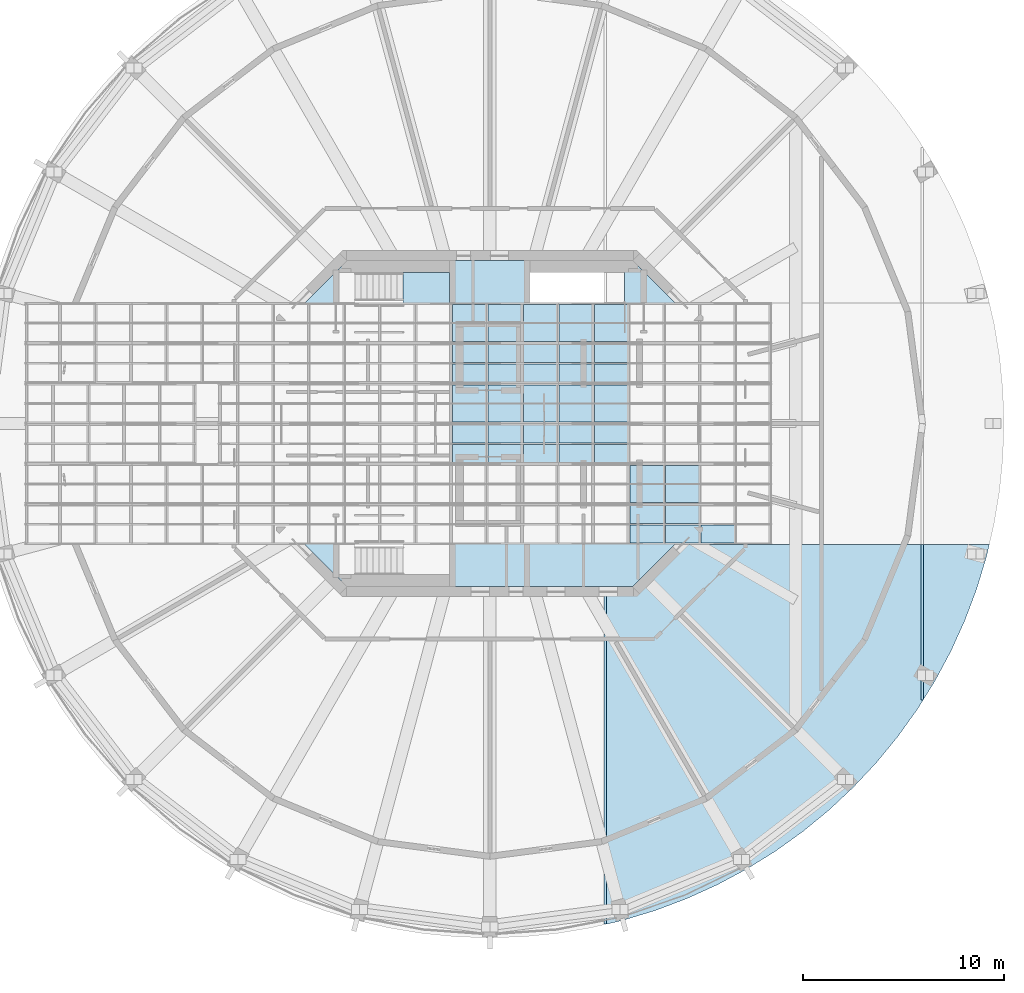
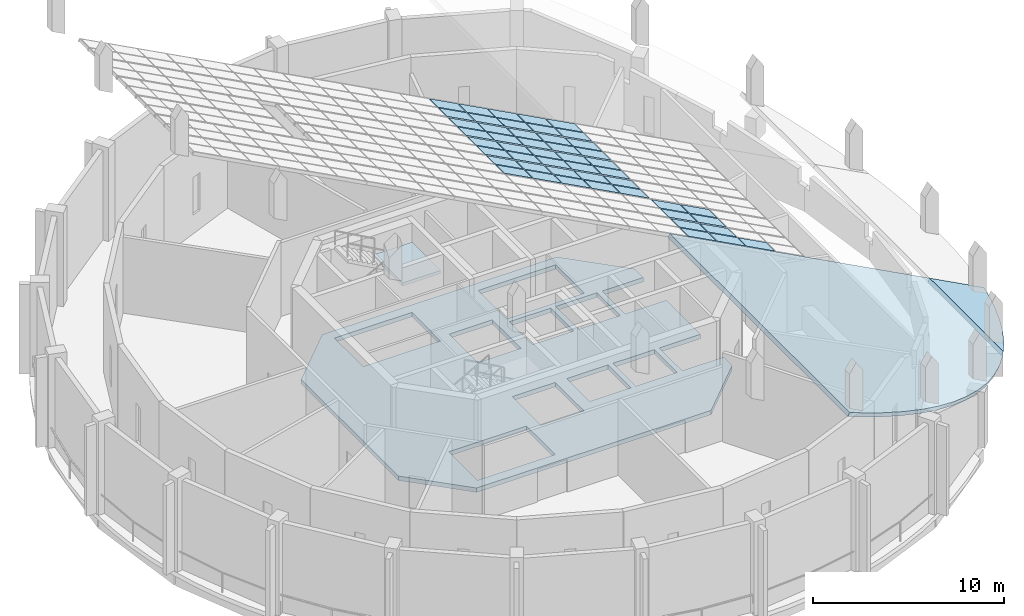
# One storey, part 11 of 19: 49 plates, 4 slabs, 7 elements without a shape of their own.
"""IFC4 building model written with IfcOpenShell, lengths in metres."""

from ifc_helpers import new_model, si_unit, direction, frame, origin, place, context, subcontext, project, spatial, polyline, outline, extrude, material, layer, layer_set, type_object, element, aggregate, save


model = new_model("IFC4")

# Units and contexts
model_context = context("Model", 3, precision=1e-05, world=origin(), true_north=direction((0.0, 1.0)))
body_context = subcontext(model_context, "Body", "Model", "MODEL_VIEW")
ifc_project = project(units=[si_unit("LENGTHUNIT", "METRE"), si_unit("AREAUNIT", "SQUARE_METRE"), si_unit("VOLUMEUNIT", "CUBIC_METRE"), si_unit("PLANEANGLEUNIT", "RADIAN"), si_unit("MASSUNIT", "GRAM", prefix="KILO")], contexts=[model_context])

# Site, building, storey
site_placement = place(None, origin())
site = spatial("IfcSite", under=ifc_project, at=site_placement, CompositionType="ELEMENT")
building_placement = place(site_placement, origin())
building = spatial("IfcBuilding", under=site, at=building_placement, Name="Torre Triforio", CompositionType="ELEMENT")
storey_placement = place(building_placement, frame((0.0, 0.0, 290.800048828125)))
storey = spatial("IfcBuildingStorey", under=building, at=storey_placement, Name="RF-1", CompositionType="ELEMENT", Elevation=290.800048828125)

# Curtain wall, plates
ifc_material_1 = material(Name="Aluminium glazing bars with clear laminated glass", Category="aluminium")
curtain_wall_type = type_object("IfcCurtainWallType", Name="Crown lantern glazing CW4", PredefinedType="NOTDEFINED", material=ifc_material_1)
curtain_wall_1_placement = place(storey_placement, origin())
curtain_wall_1 = element("IfcCurtainWall", 1, at=curtain_wall_1_placement, inside=storey, type_object=curtain_wall_type, Name="Crown lantern run 1", PredefinedType="NOTDEFINED")
ifc_material_2 = material(Name="Clear laminated glass", Category="glass")
ifc_layer_1 = layer(ifc_material_2, 0.030029296875)
ifc_layer_set_1 = layer_set([ifc_layer_1], Name="Clear laminated glass")
plate_type = type_object("IfcPlateType", Name="CW4 glass panel 30", PredefinedType="CURTAIN_PANEL", material=ifc_layer_set_1)
plate_1_placement = place(storey_placement, frame((12.203125, -5.929931640625, 7.096435546875), z_axis=(0.469537451121, 0.0, 0.882912556256), x_axis=(0.0, 1.0, 0.0)))
plate_1 = element("IfcPlate", 2, at=plate_1_placement, type_object=plate_type, Name="CW4 panel 1.2.1", PredefinedType="CURTAIN_PANEL", context=body_context, shape_type="SweptSolid", body=[
    extrude(outline(polyline([(0.0, 0.0), (0.89501953125, 0.0), (0.89501953125, 1.9300909817454048), (0.0, 1.9300909817454048), (0.0, 0.0)])), origin(), (0.0, 0.0, -1.0), 0.030029296875),
])
plate_2_placement = place(storey_placement, frame((10.437255859375, -5.929931640625, 8.03564453125), z_axis=(0.469438837627, 0.0, 0.882964992357), x_axis=(0.0, 1.0, 0.0)))
plate_2 = element("IfcPlate", 3, at=plate_2_placement, type_object=plate_type, Name="CW4 panel 1.3.1", PredefinedType="CURTAIN_PANEL", context=body_context, shape_type="SweptSolid", body=[
    extrude(outline(polyline([(0.0, 0.0), (0.89501953125, 0.0), (0.89501953125, 1.9299763606160503), (0.0, 1.9299763606160503), (0.0, 0.0)])), origin(), (0.0, 0.0, -1.0), 0.030029296875),
])
plate_3_placement = place(storey_placement, frame((10.437255859375, -4.965087890625, 8.03564453125), z_axis=(0.469438837627, 0.0, 0.882964992357), x_axis=(0.0, 1.0, 0.0)))
plate_3 = element("IfcPlate", 4, at=plate_3_placement, type_object=plate_type, Name="CW4 panel 1.3.2", PredefinedType="CURTAIN_PANEL", context=body_context, shape_type="SweptSolid", body=[
    extrude(outline(polyline([(0.0, 0.0), (0.89501953125, 0.0), (0.89501953125, 1.9299763606160503), (0.0, 1.9299763606160503), (0.0, 0.0)])), origin(), (0.0, 0.0, -1.0), 0.030029296875),
])
plate_4_placement = place(storey_placement, frame((8.67138671875, -5.929931640625, 8.974365234375), z_axis=(0.469537451121, 0.0, 0.882912556256), x_axis=(0.0, 1.0, 0.0)))
plate_4 = element("IfcPlate", 5, at=plate_4_placement, type_object=plate_type, Name="CW4 panel 1.4.1", PredefinedType="CURTAIN_PANEL", context=body_context, shape_type="SweptSolid", body=[
    extrude(outline(polyline([(0.0, 0.0), (0.89501953125, 0.0), (0.89501953125, 1.9300909817454048), (0.0, 1.9300909817454048), (0.0, 0.0)])), origin(), (0.0, 0.0, -1.0), 0.030029296875),
])
plate_5_placement = place(storey_placement, frame((8.67138671875, -4.965087890625, 8.974365234375), z_axis=(0.469537451121, 0.0, 0.882912556256), x_axis=(0.0, 1.0, 0.0)))
plate_5 = element("IfcPlate", 6, at=plate_5_placement, type_object=plate_type, Name="CW4 panel 1.4.2", PredefinedType="CURTAIN_PANEL", context=body_context, shape_type="SweptSolid", body=[
    extrude(outline(polyline([(0.0, 0.0), (0.89501953125, 0.0), (0.89501953125, 1.9300909817454048), (0.0, 1.9300909817454048), (0.0, 0.0)])), origin(), (0.0, 0.0, -1.0), 0.030029296875),
])
aggregate(curtain_wall_1, [plate_1, plate_2, plate_3, plate_4, plate_5])

curtain_wall_2_placement = place(storey_placement, origin())
curtain_wall_2 = element("IfcCurtainWall", 7, at=curtain_wall_2_placement, inside=storey, type_object=curtain_wall_type, Name="Crown lantern run 2", PredefinedType="NOTDEFINED")
plate_6_placement = place(storey_placement, frame((10.437255859375, -3.929931640625, 8.03564453125), z_axis=(0.469438837627, 0.0, 0.882964992357), x_axis=(0.0, 1.0, 0.0)))
plate_6 = element("IfcPlate", 8, at=plate_6_placement, type_object=plate_type, Name="CW4 panel 2.3.1", PredefinedType="CURTAIN_PANEL", context=body_context, shape_type="SweptSolid", body=[
    extrude(outline(polyline([(0.0, 0.0), (0.89501953125, 0.0), (0.89501953125, 1.9299763606160503), (0.0, 1.9299763606160503), (0.0, 0.0)])), origin(), (0.0, 0.0, -1.0), 0.030029296875),
])
plate_7_placement = place(storey_placement, frame((10.437255859375, -2.965087890625, 8.03564453125), z_axis=(0.469438837627, 0.0, 0.882964992357), x_axis=(0.0, 1.0, 0.0)))
plate_7 = element("IfcPlate", 9, at=plate_7_placement, type_object=plate_type, Name="CW4 panel 2.3.2", PredefinedType="CURTAIN_PANEL", context=body_context, shape_type="SweptSolid", body=[
    extrude(outline(polyline([(0.0, 0.0), (0.89501953125, 0.0), (0.89501953125, 1.9299763606160503), (0.0, 1.9299763606160503), (0.0, 0.0)])), origin(), (0.0, 0.0, -1.0), 0.030029296875),
])
plate_8_placement = place(storey_placement, frame((8.67138671875, -3.929931640625, 8.974365234375), z_axis=(0.469537451121, 0.0, 0.882912556256), x_axis=(0.0, 1.0, 0.0)))
plate_8 = element("IfcPlate", 10, at=plate_8_placement, type_object=plate_type, Name="CW4 panel 2.4.1", PredefinedType="CURTAIN_PANEL", context=body_context, shape_type="SweptSolid", body=[
    extrude(outline(polyline([(0.0, 0.0), (0.89501953125, 0.0), (0.89501953125, 1.9300909817454048), (0.0, 1.9300909817454048), (0.0, 0.0)])), origin(), (0.0, 0.0, -1.0), 0.030029296875),
])
plate_9_placement = place(storey_placement, frame((8.67138671875, -2.965087890625, 8.974365234375), z_axis=(0.469537451121, 0.0, 0.882912556256), x_axis=(0.0, 1.0, 0.0)))
plate_9 = element("IfcPlate", 11, at=plate_9_placement, type_object=plate_type, Name="CW4 panel 2.4.2", PredefinedType="CURTAIN_PANEL", context=body_context, shape_type="SweptSolid", body=[
    extrude(outline(polyline([(0.0, 0.0), (0.89501953125, 0.0), (0.89501953125, 1.9300909817454048), (0.0, 1.9300909817454048), (0.0, 0.0)])), origin(), (0.0, 0.0, -1.0), 0.030029296875),
])
aggregate(curtain_wall_2, [plate_6, plate_7, plate_8, plate_9])

curtain_wall_3_placement = place(storey_placement, origin())
curtain_wall_3 = element("IfcCurtainWall", 12, at=curtain_wall_3_placement, inside=storey, type_object=curtain_wall_type, Name="Crown lantern run 3", PredefinedType="NOTDEFINED")
plate_10_placement = place(storey_placement, frame((6.905517578125, -1.929931640625, 9.913330078125), z_axis=(0.469438837627, 0.0, 0.882964992357), x_axis=(0.0, 1.0, 0.0)))
plate_10 = element("IfcPlate", 13, at=plate_10_placement, type_object=plate_type, Name="CW4 panel 3.5.1", PredefinedType="CURTAIN_PANEL", context=body_context, shape_type="SweptSolid", body=[
    extrude(outline(polyline([(0.0, 0.0), (0.89501953125, 0.0), (0.89501953125, 1.9299763606160503), (0.0, 1.9299763606160503), (0.0, 0.0)])), origin(), (0.0, 0.0, -1.0), 0.030029296875),
])
plate_11_placement = place(storey_placement, frame((6.905517578125, -0.965087890625, 9.913330078125), z_axis=(0.469438837627, 0.0, 0.882964992357), x_axis=(0.0, 1.0, 0.0)))
plate_11 = element("IfcPlate", 14, at=plate_11_placement, type_object=plate_type, Name="CW4 panel 3.5.2", PredefinedType="CURTAIN_PANEL", context=body_context, shape_type="SweptSolid", body=[
    extrude(outline(polyline([(0.0, 0.0), (0.89501953125, 0.0), (0.89501953125, 1.9299763606160503), (0.0, 1.9299763606160503), (0.0, 0.0)])), origin(), (0.0, 0.0, -1.0), 0.030029296875),
])
plate_12_placement = place(storey_placement, frame((5.1396484375, -1.929931640625, 10.852294921875), z_axis=(0.469537451121, 0.0, 0.882912556256), x_axis=(0.0, 1.0, 0.0)))
plate_12 = element("IfcPlate", 15, at=plate_12_placement, type_object=plate_type, Name="CW4 panel 3.6.1", PredefinedType="CURTAIN_PANEL", context=body_context, shape_type="SweptSolid", body=[
    extrude(outline(polyline([(0.0, 0.0), (0.89501953125, 0.0), (0.89501953125, 1.9300909817454048), (0.0, 1.9300909817454048), (0.0, 0.0)])), origin(), (0.0, 0.0, -1.0), 0.030029296875),
])
plate_13_placement = place(storey_placement, frame((5.1396484375, -0.965087890625, 10.852294921875), z_axis=(0.469537451121, 0.0, 0.882912556256), x_axis=(0.0, 1.0, 0.0)))
plate_13 = element("IfcPlate", 16, at=plate_13_placement, type_object=plate_type, Name="CW4 panel 3.6.2", PredefinedType="CURTAIN_PANEL", context=body_context, shape_type="SweptSolid", body=[
    extrude(outline(polyline([(0.0, 0.0), (0.89501953125, 0.0), (0.89501953125, 1.9300909817454048), (0.0, 1.9300909817454048), (0.0, 0.0)])), origin(), (0.0, 0.0, -1.0), 0.030029296875),
])
plate_14_placement = place(storey_placement, frame((3.373779296875, -1.929931640625, 11.791259765625), z_axis=(0.469438837627, 0.0, 0.882964992357), x_axis=(0.0, 1.0, 0.0)))
plate_14 = element("IfcPlate", 17, at=plate_14_placement, type_object=plate_type, Name="CW4 panel 3.7.1", PredefinedType="CURTAIN_PANEL", context=body_context, shape_type="SweptSolid", body=[
    extrude(outline(polyline([(0.0, 0.0), (0.89501953125, 0.0), (0.89501953125, 1.9299763606160503), (0.0, 1.9299763606160503), (0.0, 0.0)])), origin(), (0.0, 0.0, -1.0), 0.030029296875),
])
plate_15_placement = place(storey_placement, frame((3.373779296875, -0.965087890625, 11.791259765625), z_axis=(0.469438837627, 0.0, 0.882964992357), x_axis=(0.0, 1.0, 0.0)))
plate_15 = element("IfcPlate", 18, at=plate_15_placement, type_object=plate_type, Name="CW4 panel 3.7.2", PredefinedType="CURTAIN_PANEL", context=body_context, shape_type="SweptSolid", body=[
    extrude(outline(polyline([(0.0, 0.0), (0.89501953125, 0.0), (0.89501953125, 1.9299763606160503), (0.0, 1.9299763606160503), (0.0, 0.0)])), origin(), (0.0, 0.0, -1.0), 0.030029296875),
])
plate_16_placement = place(storey_placement, frame((1.60791015625, -1.929931640625, 12.730224609375), z_axis=(0.469438837627, 0.0, 0.882964992357), x_axis=(0.0, 1.0, 0.0)))
plate_16 = element("IfcPlate", 19, at=plate_16_placement, type_object=plate_type, Name="CW4 panel 3.8.1", PredefinedType="CURTAIN_PANEL", context=body_context, shape_type="SweptSolid", body=[
    extrude(outline(polyline([(0.0, 0.0), (0.89501953125, 0.0), (0.89501953125, 1.9299763606160503), (0.0, 1.9299763606160503), (0.0, 0.0)])), origin(), (0.0, 0.0, -1.0), 0.030029296875),
])
plate_17_placement = place(storey_placement, frame((1.60791015625, -0.965087890625, 12.730224609375), z_axis=(0.469438837627, 0.0, 0.882964992357), x_axis=(0.0, 1.0, 0.0)))
plate_17 = element("IfcPlate", 20, at=plate_17_placement, type_object=plate_type, Name="CW4 panel 3.8.2", PredefinedType="CURTAIN_PANEL", context=body_context, shape_type="SweptSolid", body=[
    extrude(outline(polyline([(0.0, 0.0), (0.89501953125, 0.0), (0.89501953125, 1.9299763606160503), (0.0, 1.9299763606160503), (0.0, 0.0)])), origin(), (0.0, 0.0, -1.0), 0.030029296875),
])
plate_18_placement = place(storey_placement, frame((-0.158203125, -1.929931640625, 13.669189453125), z_axis=(0.469438837627, 0.0, 0.882964992357), x_axis=(0.0, 1.0, 0.0)))
plate_18 = element("IfcPlate", 21, at=plate_18_placement, type_object=plate_type, Name="CW4 panel 3.9.1", PredefinedType="CURTAIN_PANEL", context=body_context, shape_type="SweptSolid", body=[
    extrude(outline(polyline([(0.0, 0.0), (0.89501953125, 0.0), (0.89501953125, 1.9299763606160503), (0.0, 1.9299763606160503), (0.0, 0.0)])), origin(), (0.0, 0.0, -1.0), 0.030029296875),
])
plate_19_placement = place(storey_placement, frame((-0.158203125, -0.965087890625, 13.669189453125), z_axis=(0.469438837627, 0.0, 0.882964992357), x_axis=(0.0, 1.0, 0.0)))
plate_19 = element("IfcPlate", 22, at=plate_19_placement, type_object=plate_type, Name="CW4 panel 3.9.2", PredefinedType="CURTAIN_PANEL", context=body_context, shape_type="SweptSolid", body=[
    extrude(outline(polyline([(0.0, 0.0), (0.89501953125, 0.0), (0.89501953125, 1.9299763606160503), (0.0, 1.9299763606160503), (0.0, 0.0)])), origin(), (0.0, 0.0, -1.0), 0.030029296875),
])
aggregate(curtain_wall_3, [plate_10, plate_11, plate_12, plate_13, plate_14, plate_15, plate_16, plate_17, plate_18, plate_19])

curtain_wall_4_placement = place(storey_placement, origin())
curtain_wall_4 = element("IfcCurtainWall", 23, at=curtain_wall_4_placement, inside=storey, type_object=curtain_wall_type, Name="Crown lantern run 5", PredefinedType="NOTDEFINED")
plate_20_placement = place(storey_placement, frame((6.905517578125, 0.070068359375, 9.913330078125), z_axis=(0.469438837627, 0.0, 0.882964992357), x_axis=(0.0, 1.0, 0.0)))
plate_20 = element("IfcPlate", 24, at=plate_20_placement, type_object=plate_type, Name="CW4 panel 5.5.1", PredefinedType="CURTAIN_PANEL", context=body_context, shape_type="SweptSolid", body=[
    extrude(outline(polyline([(0.0, 0.0), (0.89501953125, 0.0), (0.89501953125, 1.9299763606160503), (0.0, 1.9299763606160503), (0.0, 0.0)])), origin(), (0.0, 0.0, -1.0), 0.030029296875),
])
plate_21_placement = place(storey_placement, frame((6.905517578125, 1.034912109375, 9.913330078125), z_axis=(0.469438837627, 0.0, 0.882964992357), x_axis=(0.0, 1.0, 0.0)))
plate_21 = element("IfcPlate", 25, at=plate_21_placement, type_object=plate_type, Name="CW4 panel 5.5.2", PredefinedType="CURTAIN_PANEL", context=body_context, shape_type="SweptSolid", body=[
    extrude(outline(polyline([(0.0, 0.0), (0.89501953125, 0.0), (0.89501953125, 1.9299763606160503), (0.0, 1.9299763606160503), (0.0, 0.0)])), origin(), (0.0, 0.0, -1.0), 0.030029296875),
])
plate_22_placement = place(storey_placement, frame((5.1396484375, 0.070068359375, 10.852294921875), z_axis=(0.469537451121, 0.0, 0.882912556256), x_axis=(0.0, 1.0, 0.0)))
plate_22 = element("IfcPlate", 26, at=plate_22_placement, type_object=plate_type, Name="CW4 panel 5.6.1", PredefinedType="CURTAIN_PANEL", context=body_context, shape_type="SweptSolid", body=[
    extrude(outline(polyline([(0.0, 0.0), (0.89501953125, 0.0), (0.89501953125, 1.9300909817454048), (0.0, 1.9300909817454048), (0.0, 0.0)])), origin(), (0.0, 0.0, -1.0), 0.030029296875),
])
plate_23_placement = place(storey_placement, frame((5.1396484375, 1.034912109375, 10.852294921875), z_axis=(0.469537451121, 0.0, 0.882912556256), x_axis=(0.0, 1.0, 0.0)))
plate_23 = element("IfcPlate", 27, at=plate_23_placement, type_object=plate_type, Name="CW4 panel 5.6.2", PredefinedType="CURTAIN_PANEL", context=body_context, shape_type="SweptSolid", body=[
    extrude(outline(polyline([(0.0, 0.0), (0.89501953125, 0.0), (0.89501953125, 1.9300909817454048), (0.0, 1.9300909817454048), (0.0, 0.0)])), origin(), (0.0, 0.0, -1.0), 0.030029296875),
])
plate_24_placement = place(storey_placement, frame((3.373779296875, 0.070068359375, 11.791259765625), z_axis=(0.469438837627, 0.0, 0.882964992357), x_axis=(0.0, 1.0, 0.0)))
plate_24 = element("IfcPlate", 28, at=plate_24_placement, type_object=plate_type, Name="CW4 panel 5.7.1", PredefinedType="CURTAIN_PANEL", context=body_context, shape_type="SweptSolid", body=[
    extrude(outline(polyline([(0.0, 0.0), (0.89501953125, 0.0), (0.89501953125, 1.9299763606160503), (0.0, 1.9299763606160503), (0.0, 0.0)])), origin(), (0.0, 0.0, -1.0), 0.030029296875),
])
plate_25_placement = place(storey_placement, frame((3.373779296875, 1.034912109375, 11.791259765625), z_axis=(0.469438837627, 0.0, 0.882964992357), x_axis=(0.0, 1.0, 0.0)))
plate_25 = element("IfcPlate", 29, at=plate_25_placement, type_object=plate_type, Name="CW4 panel 5.7.2", PredefinedType="CURTAIN_PANEL", context=body_context, shape_type="SweptSolid", body=[
    extrude(outline(polyline([(0.0, 0.0), (0.89501953125, 0.0), (0.89501953125, 1.9299763606160503), (0.0, 1.9299763606160503), (0.0, 0.0)])), origin(), (0.0, 0.0, -1.0), 0.030029296875),
])
plate_26_placement = place(storey_placement, frame((1.60791015625, 0.070068359375, 12.730224609375), z_axis=(0.469438837627, 0.0, 0.882964992357), x_axis=(0.0, 1.0, 0.0)))
plate_26 = element("IfcPlate", 30, at=plate_26_placement, type_object=plate_type, Name="CW4 panel 5.8.1", PredefinedType="CURTAIN_PANEL", context=body_context, shape_type="SweptSolid", body=[
    extrude(outline(polyline([(0.0, 0.0), (0.89501953125, 0.0), (0.89501953125, 1.9299763606160503), (0.0, 1.9299763606160503), (0.0, 0.0)])), origin(), (0.0, 0.0, -1.0), 0.030029296875),
])
plate_27_placement = place(storey_placement, frame((1.60791015625, 1.034912109375, 12.730224609375), z_axis=(0.469438837627, 0.0, 0.882964992357), x_axis=(0.0, 1.0, 0.0)))
plate_27 = element("IfcPlate", 31, at=plate_27_placement, type_object=plate_type, Name="CW4 panel 5.8.2", PredefinedType="CURTAIN_PANEL", context=body_context, shape_type="SweptSolid", body=[
    extrude(outline(polyline([(0.0, 0.0), (0.89501953125, 0.0), (0.89501953125, 1.9299763606160503), (0.0, 1.9299763606160503), (0.0, 0.0)])), origin(), (0.0, 0.0, -1.0), 0.030029296875),
])
plate_28_placement = place(storey_placement, frame((-0.158203125, 0.070068359375, 13.669189453125), z_axis=(0.469438837627, 0.0, 0.882964992357), x_axis=(0.0, 1.0, 0.0)))
plate_28 = element("IfcPlate", 32, at=plate_28_placement, type_object=plate_type, Name="CW4 panel 5.9.1", PredefinedType="CURTAIN_PANEL", context=body_context, shape_type="SweptSolid", body=[
    extrude(outline(polyline([(0.0, 0.0), (0.89501953125, 0.0), (0.89501953125, 1.9299763606160503), (0.0, 1.9299763606160503), (0.0, 0.0)])), origin(), (0.0, 0.0, -1.0), 0.030029296875),
])
plate_29_placement = place(storey_placement, frame((-0.158203125, 1.034912109375, 13.669189453125), z_axis=(0.469438837627, 0.0, 0.882964992357), x_axis=(0.0, 1.0, 0.0)))
plate_29 = element("IfcPlate", 33, at=plate_29_placement, type_object=plate_type, Name="CW4 panel 5.9.2", PredefinedType="CURTAIN_PANEL", context=body_context, shape_type="SweptSolid", body=[
    extrude(outline(polyline([(0.0, 0.0), (0.89501953125, 0.0), (0.89501953125, 1.9299763606160503), (0.0, 1.9299763606160503), (0.0, 0.0)])), origin(), (0.0, 0.0, -1.0), 0.030029296875),
])
aggregate(curtain_wall_4, [plate_20, plate_21, plate_22, plate_23, plate_24, plate_25, plate_26, plate_27, plate_28, plate_29])

curtain_wall_5_placement = place(storey_placement, origin())
curtain_wall_5 = element("IfcCurtainWall", 34, at=curtain_wall_5_placement, inside=storey, type_object=curtain_wall_type, Name="Crown lantern run 7", PredefinedType="NOTDEFINED")
plate_30_placement = place(storey_placement, frame((6.905517578125, 2.070068359375, 9.913330078125), z_axis=(0.469438837627, 0.0, 0.882964992357), x_axis=(0.0, 1.0, 0.0)))
plate_30 = element("IfcPlate", 35, at=plate_30_placement, type_object=plate_type, Name="CW4 panel 7.5.1", PredefinedType="CURTAIN_PANEL", context=body_context, shape_type="SweptSolid", body=[
    extrude(outline(polyline([(0.0, 0.0), (0.89501953125, 0.0), (0.89501953125, 1.9299763606160503), (0.0, 1.9299763606160503), (0.0, 0.0)])), origin(), (0.0, 0.0, -1.0), 0.030029296875),
])
plate_31_placement = place(storey_placement, frame((6.905517578125, 3.034912109375, 9.913330078125), z_axis=(0.469438837627, 0.0, 0.882964992357), x_axis=(0.0, 1.0, 0.0)))
plate_31 = element("IfcPlate", 36, at=plate_31_placement, type_object=plate_type, Name="CW4 panel 7.5.2", PredefinedType="CURTAIN_PANEL", context=body_context, shape_type="SweptSolid", body=[
    extrude(outline(polyline([(0.0, 0.0), (0.89501953125, 0.0), (0.89501953125, 1.9299763606160503), (0.0, 1.9299763606160503), (0.0, 0.0)])), origin(), (0.0, 0.0, -1.0), 0.030029296875),
])
plate_32_placement = place(storey_placement, frame((5.1396484375, 2.070068359375, 10.852294921875), z_axis=(0.469537451121, 0.0, 0.882912556256), x_axis=(0.0, 1.0, 0.0)))
plate_32 = element("IfcPlate", 37, at=plate_32_placement, type_object=plate_type, Name="CW4 panel 7.6.1", PredefinedType="CURTAIN_PANEL", context=body_context, shape_type="SweptSolid", body=[
    extrude(outline(polyline([(0.0, 0.0), (0.89501953125, 0.0), (0.89501953125, 1.9300909817454048), (0.0, 1.9300909817454048), (0.0, 0.0)])), origin(), (0.0, 0.0, -1.0), 0.030029296875),
])
plate_33_placement = place(storey_placement, frame((5.1396484375, 3.034912109375, 10.852294921875), z_axis=(0.469537451121, 0.0, 0.882912556256), x_axis=(0.0, 1.0, 0.0)))
plate_33 = element("IfcPlate", 38, at=plate_33_placement, type_object=plate_type, Name="CW4 panel 7.6.2", PredefinedType="CURTAIN_PANEL", context=body_context, shape_type="SweptSolid", body=[
    extrude(outline(polyline([(0.0, 0.0), (0.89501953125, 0.0), (0.89501953125, 1.9300909817454048), (0.0, 1.9300909817454048), (0.0, 0.0)])), origin(), (0.0, 0.0, -1.0), 0.030029296875),
])
plate_34_placement = place(storey_placement, frame((3.373779296875, 2.070068359375, 11.791259765625), z_axis=(0.469438837627, 0.0, 0.882964992357), x_axis=(0.0, 1.0, 0.0)))
plate_34 = element("IfcPlate", 39, at=plate_34_placement, type_object=plate_type, Name="CW4 panel 7.7.1", PredefinedType="CURTAIN_PANEL", context=body_context, shape_type="SweptSolid", body=[
    extrude(outline(polyline([(0.0, 0.0), (0.89501953125, 0.0), (0.89501953125, 1.9299763606160503), (0.0, 1.9299763606160503), (0.0, 0.0)])), origin(), (0.0, 0.0, -1.0), 0.030029296875),
])
plate_35_placement = place(storey_placement, frame((3.373779296875, 3.034912109375, 11.791259765625), z_axis=(0.469438837627, 0.0, 0.882964992357), x_axis=(0.0, 1.0, 0.0)))
plate_35 = element("IfcPlate", 40, at=plate_35_placement, type_object=plate_type, Name="CW4 panel 7.7.2", PredefinedType="CURTAIN_PANEL", context=body_context, shape_type="SweptSolid", body=[
    extrude(outline(polyline([(0.0, 0.0), (0.89501953125, 0.0), (0.89501953125, 1.9299763606160503), (0.0, 1.9299763606160503), (0.0, 0.0)])), origin(), (0.0, 0.0, -1.0), 0.030029296875),
])
plate_36_placement = place(storey_placement, frame((1.60791015625, 2.070068359375, 12.730224609375), z_axis=(0.469438837627, 0.0, 0.882964992357), x_axis=(0.0, 1.0, 0.0)))
plate_36 = element("IfcPlate", 41, at=plate_36_placement, type_object=plate_type, Name="CW4 panel 7.8.1", PredefinedType="CURTAIN_PANEL", context=body_context, shape_type="SweptSolid", body=[
    extrude(outline(polyline([(0.0, 0.0), (0.89501953125, 0.0), (0.89501953125, 1.9299763606160503), (0.0, 1.9299763606160503), (0.0, 0.0)])), origin(), (0.0, 0.0, -1.0), 0.030029296875),
])
plate_37_placement = place(storey_placement, frame((1.60791015625, 3.034912109375, 12.730224609375), z_axis=(0.469438837627, 0.0, 0.882964992357), x_axis=(0.0, 1.0, 0.0)))
plate_37 = element("IfcPlate", 42, at=plate_37_placement, type_object=plate_type, Name="CW4 panel 7.8.2", PredefinedType="CURTAIN_PANEL", context=body_context, shape_type="SweptSolid", body=[
    extrude(outline(polyline([(0.0, 0.0), (0.89501953125, 0.0), (0.89501953125, 1.9299763606160503), (0.0, 1.9299763606160503), (0.0, 0.0)])), origin(), (0.0, 0.0, -1.0), 0.030029296875),
])
plate_38_placement = place(storey_placement, frame((-0.158203125, 2.070068359375, 13.669189453125), z_axis=(0.469438837627, 0.0, 0.882964992357), x_axis=(0.0, 1.0, 0.0)))
plate_38 = element("IfcPlate", 43, at=plate_38_placement, type_object=plate_type, Name="CW4 panel 7.9.1", PredefinedType="CURTAIN_PANEL", context=body_context, shape_type="SweptSolid", body=[
    extrude(outline(polyline([(0.0, 0.0), (0.89501953125, 0.0), (0.89501953125, 1.9299763606160503), (0.0, 1.9299763606160503), (0.0, 0.0)])), origin(), (0.0, 0.0, -1.0), 0.030029296875),
])
plate_39_placement = place(storey_placement, frame((-0.158203125, 3.034912109375, 13.669189453125), z_axis=(0.469438837627, 0.0, 0.882964992357), x_axis=(0.0, 1.0, 0.0)))
plate_39 = element("IfcPlate", 44, at=plate_39_placement, type_object=plate_type, Name="CW4 panel 7.9.2", PredefinedType="CURTAIN_PANEL", context=body_context, shape_type="SweptSolid", body=[
    extrude(outline(polyline([(0.0, 0.0), (0.89501953125, 0.0), (0.89501953125, 1.9299763606160503), (0.0, 1.9299763606160503), (0.0, 0.0)])), origin(), (0.0, 0.0, -1.0), 0.030029296875),
])
aggregate(curtain_wall_5, [plate_30, plate_31, plate_32, plate_33, plate_34, plate_35, plate_36, plate_37, plate_38, plate_39])

curtain_wall_6_placement = place(storey_placement, origin())
curtain_wall_6 = element("IfcCurtainWall", 45, at=curtain_wall_6_placement, inside=storey, type_object=curtain_wall_type, Name="Crown lantern run 8", PredefinedType="NOTDEFINED")
plate_40_placement = place(storey_placement, frame((6.905517578125, 4.070068359375, 9.913330078125), z_axis=(0.469438837627, 0.0, 0.882964992357), x_axis=(0.0, 1.0, 0.0)))
plate_40 = element("IfcPlate", 46, at=plate_40_placement, type_object=plate_type, Name="CW4 panel 8.5.1", PredefinedType="CURTAIN_PANEL", context=body_context, shape_type="SweptSolid", body=[
    extrude(outline(polyline([(0.0, 0.0), (0.89501953125, 0.0), (0.89501953125, 1.9299763606160503), (0.0, 1.9299763606160503), (0.0, 0.0)])), origin(), (0.0, 0.0, -1.0), 0.030029296875),
])
plate_41_placement = place(storey_placement, frame((6.905517578125, 5.034912109375, 9.913330078125), z_axis=(0.469438837627, 0.0, 0.882964992357), x_axis=(0.0, 1.0, 0.0)))
plate_41 = element("IfcPlate", 47, at=plate_41_placement, type_object=plate_type, Name="CW4 panel 8.5.2", PredefinedType="CURTAIN_PANEL", context=body_context, shape_type="SweptSolid", body=[
    extrude(outline(polyline([(0.0, 0.0), (0.89501953125, 0.0), (0.89501953125, 1.9299763606160503), (0.0, 1.9299763606160503), (0.0, 0.0)])), origin(), (0.0, 0.0, -1.0), 0.030029296875),
])
plate_42_placement = place(storey_placement, frame((5.1396484375, 4.070068359375, 10.852294921875), z_axis=(0.469537451121, 0.0, 0.882912556256), x_axis=(0.0, 1.0, 0.0)))
plate_42 = element("IfcPlate", 48, at=plate_42_placement, type_object=plate_type, Name="CW4 panel 8.6.1", PredefinedType="CURTAIN_PANEL", context=body_context, shape_type="SweptSolid", body=[
    extrude(outline(polyline([(0.0, 0.0), (0.89501953125, 0.0), (0.89501953125, 1.9300909817454048), (0.0, 1.9300909817454048), (0.0, 0.0)])), origin(), (0.0, 0.0, -1.0), 0.030029296875),
])
plate_43_placement = place(storey_placement, frame((5.1396484375, 5.034912109375, 10.852294921875), z_axis=(0.469537451121, 0.0, 0.882912556256), x_axis=(0.0, 1.0, 0.0)))
plate_43 = element("IfcPlate", 49, at=plate_43_placement, type_object=plate_type, Name="CW4 panel 8.6.2", PredefinedType="CURTAIN_PANEL", context=body_context, shape_type="SweptSolid", body=[
    extrude(outline(polyline([(0.0, 0.0), (0.89501953125, 0.0), (0.89501953125, 1.9300909817454048), (0.0, 1.9300909817454048), (0.0, 0.0)])), origin(), (0.0, 0.0, -1.0), 0.030029296875),
])
plate_44_placement = place(storey_placement, frame((3.373779296875, 4.070068359375, 11.791259765625), z_axis=(0.469438837627, 0.0, 0.882964992357), x_axis=(0.0, 1.0, 0.0)))
plate_44 = element("IfcPlate", 50, at=plate_44_placement, type_object=plate_type, Name="CW4 panel 8.7.1", PredefinedType="CURTAIN_PANEL", context=body_context, shape_type="SweptSolid", body=[
    extrude(outline(polyline([(0.0, 0.0), (0.89501953125, 0.0), (0.89501953125, 1.9299763606160503), (0.0, 1.9299763606160503), (0.0, 0.0)])), origin(), (0.0, 0.0, -1.0), 0.030029296875),
])
plate_45_placement = place(storey_placement, frame((3.373779296875, 5.034912109375, 11.791259765625), z_axis=(0.469438837627, 0.0, 0.882964992357), x_axis=(0.0, 1.0, 0.0)))
plate_45 = element("IfcPlate", 51, at=plate_45_placement, type_object=plate_type, Name="CW4 panel 8.7.2", PredefinedType="CURTAIN_PANEL", context=body_context, shape_type="SweptSolid", body=[
    extrude(outline(polyline([(0.0, 0.0), (0.89501953125, 0.0), (0.89501953125, 1.9299763606160503), (0.0, 1.9299763606160503), (0.0, 0.0)])), origin(), (0.0, 0.0, -1.0), 0.030029296875),
])
plate_46_placement = place(storey_placement, frame((1.60791015625, 4.070068359375, 12.730224609375), z_axis=(0.469438837627, 0.0, 0.882964992357), x_axis=(0.0, 1.0, 0.0)))
plate_46 = element("IfcPlate", 52, at=plate_46_placement, type_object=plate_type, Name="CW4 panel 8.8.1", PredefinedType="CURTAIN_PANEL", context=body_context, shape_type="SweptSolid", body=[
    extrude(outline(polyline([(0.0, 0.0), (0.89501953125, 0.0), (0.89501953125, 1.9299763606160503), (0.0, 1.9299763606160503), (0.0, 0.0)])), origin(), (0.0, 0.0, -1.0), 0.030029296875),
])
plate_47_placement = place(storey_placement, frame((1.60791015625, 5.034912109375, 12.730224609375), z_axis=(0.469438837627, 0.0, 0.882964992357), x_axis=(0.0, 1.0, 0.0)))
plate_47 = element("IfcPlate", 53, at=plate_47_placement, type_object=plate_type, Name="CW4 panel 8.8.2", PredefinedType="CURTAIN_PANEL", context=body_context, shape_type="SweptSolid", body=[
    extrude(outline(polyline([(0.0, 0.0), (0.89501953125, 0.0), (0.89501953125, 1.9299763606160503), (0.0, 1.9299763606160503), (0.0, 0.0)])), origin(), (0.0, 0.0, -1.0), 0.030029296875),
])
plate_48_placement = place(storey_placement, frame((-0.158203125, 4.070068359375, 13.669189453125), z_axis=(0.469438837627, 0.0, 0.882964992357), x_axis=(0.0, 1.0, 0.0)))
plate_48 = element("IfcPlate", 54, at=plate_48_placement, type_object=plate_type, Name="CW4 panel 8.9.1", PredefinedType="CURTAIN_PANEL", context=body_context, shape_type="SweptSolid", body=[
    extrude(outline(polyline([(0.0, 0.0), (0.89501953125, 0.0), (0.89501953125, 1.9299763606160503), (0.0, 1.9299763606160503), (0.0, 0.0)])), origin(), (0.0, 0.0, -1.0), 0.030029296875),
])
plate_49_placement = place(storey_placement, frame((-0.158203125, 5.034912109375, 13.669189453125), z_axis=(0.469438837627, 0.0, 0.882964992357), x_axis=(0.0, 1.0, 0.0)))
plate_49 = element("IfcPlate", 55, at=plate_49_placement, type_object=plate_type, Name="CW4 panel 8.9.2", PredefinedType="CURTAIN_PANEL", context=body_context, shape_type="SweptSolid", body=[
    extrude(outline(polyline([(0.0, 0.0), (0.89501953125, 0.0), (0.89501953125, 1.9299763606160503), (0.0, 1.9299763606160503), (0.0, 0.0)])), origin(), (0.0, 0.0, -1.0), 0.030029296875),
])
aggregate(curtain_wall_6, [plate_40, plate_41, plate_42, plate_43, plate_44, plate_45, plate_46, plate_47, plate_48, plate_49])

# Slabs
ifc_material_3 = material(Name="Concrete C40", Category="concrete")
ifc_layer_2 = layer(ifc_material_3, 0.280029296875)
ifc_layer_set_2 = layer_set([ifc_layer_2], Name="Concrete C40")
slab_type_1 = type_object("IfcSlabType", Name="Core floor slab 280 mm C40 REI 120", PredefinedType="FLOOR", material=ifc_layer_set_2)
slab_1_placement = place(storey_placement, frame((0.0, 0.0, -0.280029296875)))
element("IfcSlab", 56, at=slab_1_placement, inside=storey, type_object=slab_type_1, Name="Core floor slab", PredefinedType="FLOOR", context=body_context, shape_type="SweptSolid", body=[
    extrude(outline(polyline([(10.10009765625, -5.10009765625), (7.10009765625, -8.10009765625), (-7.10009765625, -8.10009765625), (-10.10009765625, -5.10009765625), (-10.10009765625, 5.10009765625), (-7.10009765625, 8.10009765625), (7.10009765625, 8.10009765625), (10.10009765625, 5.10009765625), (10.10009765625, 4.199951171875), (7.60009765625, 4.199951171875), (7.60009765625, 1.800048828125), (10.10009765625, 1.800048828125), (10.10009765625, -1.800048828125), (7.60009765625, -1.800048828125), (7.60009765625, -4.199951171875), (10.10009765625, -4.199951171875), (10.10009765625, -5.10009765625)]), holes=[polyline([(-6.696044921875, -4.5), (-6.696044921875, -7.5), (-2.0, -7.5), (-2.0, -4.5), (-6.696044921875, -4.5)]), polyline([(-1.300048828125, -1.800048828125), (-1.300048828125, -4.800048828125), (1.300048828125, -4.800048828125), (1.300048828125, -1.800048828125), (-1.300048828125, -1.800048828125)]), polyline([(2.0, -1.800048828125), (2.0, -4.199951171875), (4.5, -4.199951171875), (4.5, -1.800048828125), (2.0, -1.800048828125)]), polyline([(4.5, 4.199951171875), (2.0, 4.199951171875), (2.0, 1.800048828125), (4.5, 1.800048828125), (4.5, 4.199951171875)]), polyline([(1.300048828125, 4.800048828125), (-1.300048828125, 4.800048828125), (-1.300048828125, 1.800048828125), (1.300048828125, 1.800048828125), (1.300048828125, 4.800048828125)]), polyline([(-6.696044921875, 7.5), (-6.696044921875, 4.5), (-2.0, 4.5), (-2.0, 7.5), (-6.696044921875, 7.5)]), polyline([(7.300048828125, -1.800048828125), (4.800048828125, -1.800048828125), (4.800048828125, -4.199951171875), (7.300048828125, -4.199951171875), (7.300048828125, -1.800048828125)]), polyline([(4.800048828125, 4.199951171875), (4.800048828125, 1.800048828125), (7.300048828125, 1.800048828125), (7.300048828125, 4.199951171875), (4.800048828125, 4.199951171875)]), polyline([(6.696044921875, 7.5), (2.0, 7.5), (2.0, 4.5), (6.696044921875, 4.5), (6.696044921875, 7.5)])]), origin(), (0.0, 0.0, 1.0), 0.280029296875),
])
ifc_layer_3 = layer(ifc_material_3, 0.25)
ifc_layer_set_3 = layer_set([ifc_layer_3], Name="Concrete C40")
slab_type_2 = type_object("IfcSlabType", Name="Crown roof slab 250 C40", PredefinedType="ROOF", material=ifc_layer_set_3)
slab_2_placement = place(storey_placement, frame((21.244140625, -14.19482421875, 2.28955078125), z_axis=(0.469478450512, -4.35621e-07, 0.882943930555), x_axis=(0.508359394827, 0.817622395905, -0.27030416831)))
element("IfcSlab", 57, at=slab_2_placement, inside=storey, type_object=slab_type_2, Name="SL.ROOF.S.RF-1", PredefinedType="ROOF", context=body_context, shape_type="SweptSolid", body=[
    extrude(outline(polyline([(0.0, 0.0), (0.5783848301089658, 5.551115123125783e-17), (6.8920026914573524, 4.445934896983532), (-3.3689548834743173, 19.0173954605748), (-18.796188005429173, 8.153818410608874), (-18.11328482600347, 7.512239609340309), (-16.673042925780276, 6.309952730570949), (-15.171241854987251, 5.200037580554914), (-13.613894921327837, 4.18721726263821), (-12.008063752394207, 3.275583407060366), (-10.360377885128637, 2.4690380741476936), (-8.6778503396053, 1.7711798316268543), (-6.967835246632071, 1.1852435831752386), (-5.237665025643199, 0.7131612936167373), (-3.494571334423163, 0.3575699080375593), (-1.7463048449592735, 0.11929920347848899), (0.0, 0.0)])), origin(), (0.0, 0.0, -1.0), 0.25),
])
slab_3_placement = place(storey_placement, frame((23.605224609375, -9.777587890625, 1.0341796875), z_axis=(0.469433326982, 5.615728e-06, 0.882967922117), x_axis=(0.346239738022, 0.919907904652, -0.184085552866)))
element("IfcSlab", 58, at=slab_3_placement, inside=storey, type_object=slab_type_2, Name="SL.ROOF.S.RF-1.E", PredefinedType="ROOF", context=body_context, shape_type="SweptSolid", body=[
    extrude(outline(polyline([(0.0, 0.0), (1.700928167321331, -1.1102230246251565e-16), (3.3884231467289685, 0.1217890510665644), (4.015564185391013, 0.21329074792950725), (2.5570200374497185, 3.63488811909566), (-4.546438731160362, 0.6068555683887227), (-3.4137603402847168, 0.36474902793470443), (-1.7074467160667635, 0.12175545979071367), (0.0, 0.0)])), origin(), (0.0, 0.0, -1.0), 0.25),
])

# Stair, slab
stair_type = type_object("IfcStairType", Name="STAIR DOUBLE RETURN", PredefinedType="DOUBLE_RETURN_STAIR", material=ifc_material_3)
stair_placement = place(storey_placement, origin())
stair = element("IfcStair", 59, at=stair_placement, inside=storey, type_object=stair_type, Name="Exit stair 1", PredefinedType="DOUBLE_RETURN_STAIR")
ifc_layer_4 = layer(ifc_material_3, 0.199951171875)
ifc_layer_set_4 = layer_set([ifc_layer_4], Name="Concrete C40")
slab_type_3 = type_object("IfcSlabType", Name="STAIR LANDING 200", PredefinedType="LANDING", material=ifc_layer_set_4)
slab_4_placement = place(storey_placement, frame((0.0, 0.0, 4.300048828125)))
slab_4 = element("IfcSlab", 60, at=slab_4_placement, type_object=slab_type_3, Name="ST1 landing 3", PredefinedType="LANDING", context=body_context, shape_type="SweptSolid", body=[
    extrude(outline(polyline([(-2.0, 4.5), (-2.0, 7.5), (-4.300048828125, 7.5), (-4.300048828125, 4.5), (-2.0, 4.5)])), origin(), (0.0, 0.0, 1.0), 0.199951171875),
])
aggregate(stair, [slab_4])

save(model, "model.ifc")
